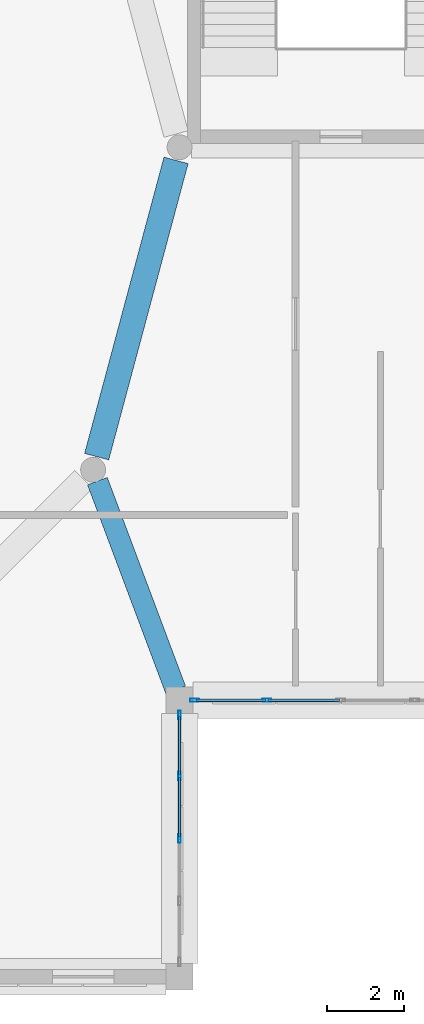
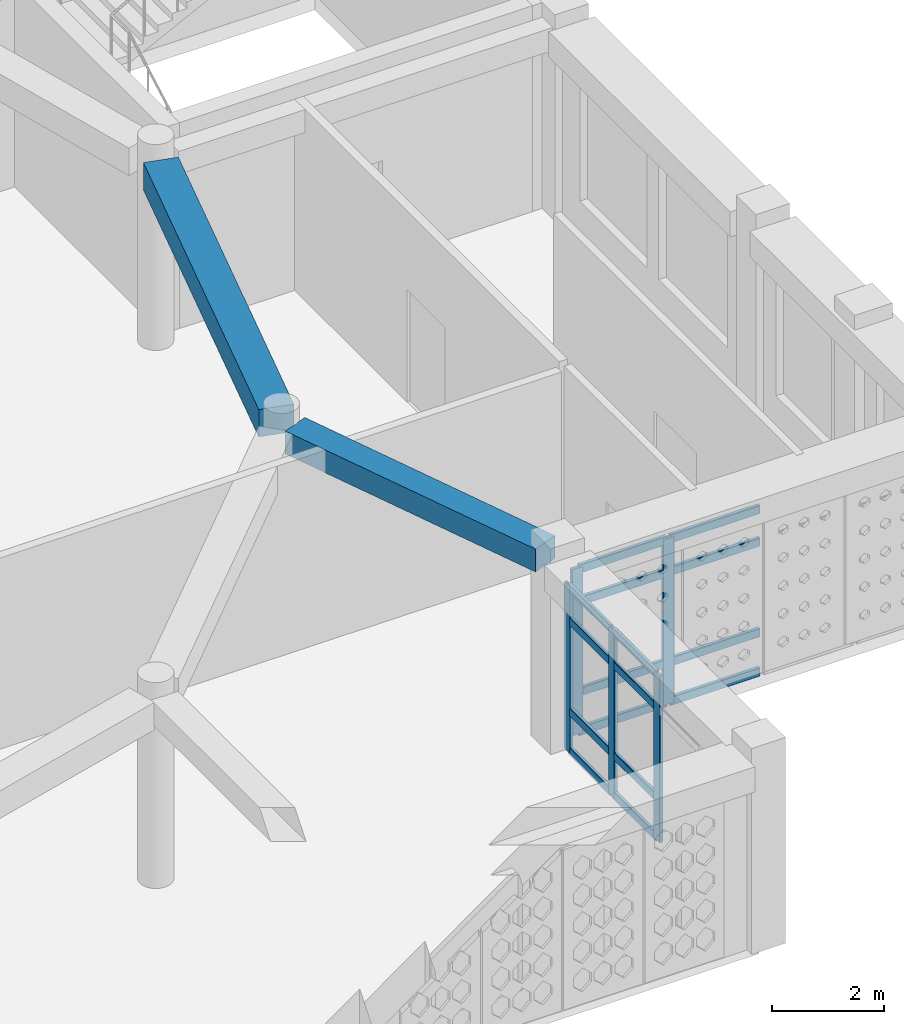
# One storey, part 18 of 79: 21 members, 2 beams, 2 elements without a shape of their own.
"""IFC4 building model written with IfcOpenShell, lengths in metres."""

from ifc_helpers import new_model, si_unit, derived_unit, direction, frame, origin, origin_2d, place, context, subcontext, project, spatial, rectangle, hollow_rectangle, extrude, material, material_profile, profile_set, type_object, element, aggregate, save


model = new_model("IFC4")

# Units and contexts
model_context = context("Model", 3, precision=1e-05, world=origin(), true_north=direction((0.0, 1.0)))
body_context = subcontext(model_context, "Body", "Model", "MODEL_VIEW")
ifc_project = project(units=[si_unit("LENGTHUNIT", "METRE"), si_unit("AREAUNIT", "SQUARE_METRE"), si_unit("VOLUMEUNIT", "CUBIC_METRE"), si_unit("PLANEANGLEUNIT", "RADIAN"), si_unit("MASSUNIT", "GRAM", prefix="KILO"), derived_unit("THERMALTRANSMITTANCEUNIT", [(si_unit("POWERUNIT", "WATT"), 1), (si_unit("LENGTHUNIT", "METRE"), -2), (si_unit("THERMODYNAMICTEMPERATUREUNIT", "KELVIN"), -1)])], contexts=[model_context])

# Site, building, storey
site_placement = place(None, origin())
site = spatial("IfcSite", under=ifc_project, at=site_placement, CompositionType="ELEMENT")
building_placement = place(site_placement, origin())
building = spatial("IfcBuilding", under=site, at=building_placement, Name="Veybourne Emporium", CompositionType="ELEMENT")
storey_placement = place(building_placement, frame((0.0, 0.0, 18.89990234375)))
storey = spatial("IfcBuildingStorey", under=building, at=storey_placement, Name="L04", CompositionType="ELEMENT", Elevation=18.89990234375)

# Curtain wall, members
ifc_material_1 = material(Name="Patinated Architectural Bronze", Category="bronze")
curtain_wall_type_1 = type_object("IfcCurtainWallType", Name="CWSystem_CWS-05", PredefinedType="NOTDEFINED", material=ifc_material_1)
curtain_wall_1_placement = place(storey_placement, origin())
curtain_wall_1 = element("IfcCurtainWall", 1, at=curtain_wall_1_placement, inside=storey, type_object=curtain_wall_type_1, Name="L04 bronze glazed curtain wall CWS-05 (042)", PredefinedType="NOTDEFINED")
ifc_material_profile_1 = material_profile(ifc_material_1, hollow_rectangle(XDim=0.072021484375, YDim=0.22509765625, WallThickness=0.0048828125, InnerFilletRadius=0.007568359375, OuterFilletRadius=0.012451171875, at=origin_2d()), Name="CWM 72x225x5")
ifc_profile_set_1 = profile_set([ifc_material_profile_1], Name="Patinated Architectural Bronze")
member_type_1 = type_object("IfcMemberType", Name="CWMullion_CW-M1", PredefinedType="MULLION", material=ifc_profile_set_1)
member_1_placement = place(storey_placement, frame((92.39990234375, 35.614013671875, 0.0), z_axis=(0.0, 0.0, 1.0), x_axis=(1.0, 0.0, 0.0)))
member_1 = element("IfcMember", 2, at=member_1_placement, type_object=member_type_1, Name="CWS-05 mullion 1", PredefinedType="MULLION", context=body_context, shape_type="SweptSolid", body=[
    extrude(hollow_rectangle(XDim=0.072021484375, YDim=0.22509765625, WallThickness=0.0048828125, InnerFilletRadius=0.007568359375, OuterFilletRadius=0.012451171875, at=origin_2d()), origin(), (0.0, 0.0, 1.0), 3.630126953125),
])
member_2_placement = place(storey_placement, frame((92.39990234375, 34.02490234375, 0.0), z_axis=(0.0, 0.0, 1.0), x_axis=(1.0, 0.0, 0.0)))
member_2 = element("IfcMember", 3, at=member_2_placement, type_object=member_type_1, Name="CWS-05 mullion 2", PredefinedType="MULLION", context=body_context, shape_type="SweptSolid", body=[
    extrude(hollow_rectangle(XDim=0.072021484375, YDim=0.22509765625, WallThickness=0.0048828125, InnerFilletRadius=0.007568359375, OuterFilletRadius=0.012451171875, at=origin_2d()), origin(), (0.0, 0.0, 1.0), 3.630126953125),
])
member_3_placement = place(storey_placement, frame((92.39990234375, 32.39990234375, 0.0), z_axis=(0.0, 0.0, 1.0), x_axis=(1.0, 0.0, 0.0)))
member_3 = element("IfcMember", 4, at=member_3_placement, type_object=member_type_1, Name="CWS-05 mullion 3", PredefinedType="MULLION", context=body_context, shape_type="SweptSolid", body=[
    extrude(hollow_rectangle(XDim=0.072021484375, YDim=0.22509765625, WallThickness=0.0048828125, InnerFilletRadius=0.007568359375, OuterFilletRadius=0.012451171875, at=origin_2d()), origin(), (0.0, 0.0, 1.0), 3.630126953125),
])

curtain_wall_type_2 = type_object("IfcCurtainWallType", Name="CWSystem_CWS-07", PredefinedType="NOTDEFINED", material=ifc_material_1)
curtain_wall_2_placement = place(storey_placement, origin())
curtain_wall_2 = element("IfcCurtainWall", 5, at=curtain_wall_2_placement, inside=storey, type_object=curtain_wall_type_2, Name="L04 bronze glazed curtain wall CWS-07 (048)", PredefinedType="NOTDEFINED")
ifc_material_profile_2 = material_profile(ifc_material_1, hollow_rectangle(XDim=0.077880859375, YDim=0.235107421875, WallThickness=0.0048828125, InnerFilletRadius=0.007568359375, OuterFilletRadius=0.012451171875, at=origin_2d()), Name="CWM 78x235x5")
ifc_profile_set_2 = profile_set([ifc_material_profile_2], Name="Patinated Architectural Bronze")
member_type_2 = type_object("IfcMemberType", Name="CWMullion_CW-M3", PredefinedType="MULLION", material=ifc_profile_set_2)
member_4_placement = place(storey_placement, frame((94.675048828125, 36.0, 0.0), z_axis=(0.0, 0.0, 1.0), x_axis=(0.0, -1.0, 0.0)))
member_4 = element("IfcMember", 6, at=member_4_placement, type_object=member_type_2, Name="CWS-07 mullion 4", PredefinedType="MULLION", context=body_context, shape_type="SweptSolid", body=[
    extrude(hollow_rectangle(XDim=0.077880859375, YDim=0.235107421875, WallThickness=0.0048828125, InnerFilletRadius=0.007568359375, OuterFilletRadius=0.012451171875, at=origin_2d()), origin(), (0.0, 0.0, 1.0), 3.630126953125),
])
member_5_placement = place(storey_placement, frame((92.7890625, 36.0, 0.0), z_axis=(0.0, 0.0, 1.0), x_axis=(0.0, -1.0, 0.0)))
member_5 = element("IfcMember", 7, at=member_5_placement, type_object=member_type_2, Name="CWS-07 mullion 5", PredefinedType="MULLION", context=body_context, shape_type="SweptSolid", body=[
    extrude(hollow_rectangle(XDim=0.077880859375, YDim=0.235107421875, WallThickness=0.0048828125, InnerFilletRadius=0.007568359375, OuterFilletRadius=0.012451171875, at=origin_2d()), origin(), (0.0, 0.0, 1.0), 3.630126953125),
])

# Member
ifc_material_profile_3 = material_profile(ifc_material_1, hollow_rectangle(XDim=0.072021484375, YDim=0.175048828125, WallThickness=0.0048828125, InnerFilletRadius=0.007568359375, OuterFilletRadius=0.012451171875, at=origin_2d()), Name="CWT 72x175x5")
ifc_profile_set_3 = profile_set([ifc_material_profile_3], Name="Patinated Architectural Bronze")
member_type_3 = type_object("IfcMemberType", Name="CWTransom_CW-T1", PredefinedType="NOTDEFINED", material=ifc_profile_set_3)
member_6_placement = place(storey_placement, frame((92.39990234375, 35.577880859375, 0.0361328125), z_axis=(0.0, -1.0, 0.0), x_axis=(1.0, 0.0, 0.0)))
member_6 = element("IfcMember", 8, at=member_6_placement, type_object=member_type_3, Name="CWS-05 transom 1.1", ObjectType="TRANSOM", PredefinedType="USERDEFINED", context=body_context, shape_type="SweptSolid", body=[
    extrude(hollow_rectangle(XDim=0.072021484375, YDim=0.175048828125, WallThickness=0.0048828125, InnerFilletRadius=0.007568359375, OuterFilletRadius=0.012451171875, at=origin_2d()), origin(), (0.0, 0.0, 1.0), 1.516845703125),
])

member_7_placement = place(storey_placement, frame((92.39990234375, 35.577880859375, 0.900146484375), z_axis=(0.0, -1.0, 0.0), x_axis=(1.0, 0.0, 0.0)))
member_7 = element("IfcMember", 9, at=member_7_placement, type_object=member_type_3, Name="CWS-05 transom 1.2", ObjectType="TRANSOM", PredefinedType="USERDEFINED", context=body_context, shape_type="SweptSolid", body=[
    extrude(hollow_rectangle(XDim=0.072021484375, YDim=0.175048828125, WallThickness=0.0048828125, InnerFilletRadius=0.007568359375, OuterFilletRadius=0.012451171875, at=origin_2d()), origin(), (0.0, 0.0, 1.0), 1.516845703125),
])

member_8_placement = place(storey_placement, frame((92.39990234375, 35.577880859375, 2.880126953125), z_axis=(0.0, -1.0, 0.0), x_axis=(1.0, 0.0, 0.0)))
member_8 = element("IfcMember", 10, at=member_8_placement, type_object=member_type_3, Name="CWS-05 transom 1.3", ObjectType="TRANSOM", PredefinedType="USERDEFINED", context=body_context, shape_type="SweptSolid", body=[
    extrude(hollow_rectangle(XDim=0.072021484375, YDim=0.175048828125, WallThickness=0.0048828125, InnerFilletRadius=0.007568359375, OuterFilletRadius=0.012451171875, at=origin_2d()), origin(), (0.0, 0.0, 1.0), 1.516845703125),
])

member_9_placement = place(storey_placement, frame((92.39990234375, 35.577880859375, 3.593994140625), z_axis=(0.0, -1.0, 0.0), x_axis=(1.0, 0.0, 0.0)))
member_9 = element("IfcMember", 11, at=member_9_placement, type_object=member_type_3, Name="CWS-05 transom 1.4", ObjectType="TRANSOM", PredefinedType="USERDEFINED", context=body_context, shape_type="SweptSolid", body=[
    extrude(hollow_rectangle(XDim=0.072021484375, YDim=0.175048828125, WallThickness=0.0048828125, InnerFilletRadius=0.007568359375, OuterFilletRadius=0.012451171875, at=origin_2d()), origin(), (0.0, 0.0, 1.0), 1.516845703125),
])

member_10_placement = place(storey_placement, frame((92.39990234375, 33.989013671875, 0.0361328125), z_axis=(0.0, -1.0, 0.0), x_axis=(1.0, 0.0, 0.0)))
member_10 = element("IfcMember", 12, at=member_10_placement, type_object=member_type_3, Name="CWS-05 transom 2.1", ObjectType="TRANSOM", PredefinedType="USERDEFINED", context=body_context, shape_type="SweptSolid", body=[
    extrude(hollow_rectangle(XDim=0.072021484375, YDim=0.175048828125, WallThickness=0.0048828125, InnerFilletRadius=0.007568359375, OuterFilletRadius=0.012451171875, at=origin_2d()), origin(), (0.0, 0.0, 1.0), 1.552978515625),
])

member_11_placement = place(storey_placement, frame((92.39990234375, 33.989013671875, 0.900146484375), z_axis=(0.0, -1.0, 0.0), x_axis=(1.0, 0.0, 0.0)))
member_11 = element("IfcMember", 13, at=member_11_placement, type_object=member_type_3, Name="CWS-05 transom 2.2", ObjectType="TRANSOM", PredefinedType="USERDEFINED", context=body_context, shape_type="SweptSolid", body=[
    extrude(hollow_rectangle(XDim=0.072021484375, YDim=0.175048828125, WallThickness=0.0048828125, InnerFilletRadius=0.007568359375, OuterFilletRadius=0.012451171875, at=origin_2d()), origin(), (0.0, 0.0, 1.0), 1.552978515625),
])

member_12_placement = place(storey_placement, frame((92.39990234375, 33.989013671875, 2.880126953125), z_axis=(0.0, -1.0, 0.0), x_axis=(1.0, 0.0, 0.0)))
member_12 = element("IfcMember", 14, at=member_12_placement, type_object=member_type_3, Name="CWS-05 transom 2.3", ObjectType="TRANSOM", PredefinedType="USERDEFINED", context=body_context, shape_type="SweptSolid", body=[
    extrude(hollow_rectangle(XDim=0.072021484375, YDim=0.175048828125, WallThickness=0.0048828125, InnerFilletRadius=0.007568359375, OuterFilletRadius=0.012451171875, at=origin_2d()), origin(), (0.0, 0.0, 1.0), 1.552978515625),
])

member_13_placement = place(storey_placement, frame((92.39990234375, 33.989013671875, 3.593994140625), z_axis=(0.0, -1.0, 0.0), x_axis=(1.0, 0.0, 0.0)))
member_13 = element("IfcMember", 15, at=member_13_placement, type_object=member_type_3, Name="CWS-05 transom 2.4", ObjectType="TRANSOM", PredefinedType="USERDEFINED", context=body_context, shape_type="SweptSolid", body=[
    extrude(hollow_rectangle(XDim=0.072021484375, YDim=0.175048828125, WallThickness=0.0048828125, InnerFilletRadius=0.007568359375, OuterFilletRadius=0.012451171875, at=origin_2d()), origin(), (0.0, 0.0, 1.0), 1.552978515625),
])

aggregate(curtain_wall_1, [member_1, member_2, member_3, member_6, member_7, member_8, member_9, member_10, member_11, member_12, member_13])

ifc_material_profile_4 = material_profile(ifc_material_1, hollow_rectangle(XDim=0.077880859375, YDim=0.18505859375, WallThickness=0.0048828125, InnerFilletRadius=0.007568359375, OuterFilletRadius=0.012451171875, at=origin_2d()), Name="CWT 78x185x5")
ifc_profile_set_4 = profile_set([ifc_material_profile_4], Name="Patinated Architectural Bronze")
member_type_4 = type_object("IfcMemberType", Name="CWTransom_CW-T3", PredefinedType="NOTDEFINED", material=ifc_profile_set_4)
member_14_placement = place(storey_placement, frame((96.56103515625, 36.0, 0.0390625), z_axis=(-1.0, 0.0, 0.0), x_axis=(0.0, -1.0, 0.0)))
member_14 = element("IfcMember", 16, at=member_14_placement, type_object=member_type_4, Name="CWS-07 transom 3.1", ObjectType="TRANSOM", PredefinedType="USERDEFINED", context=body_context, shape_type="SweptSolid", body=[
    extrude(hollow_rectangle(XDim=0.077880859375, YDim=0.18505859375, WallThickness=0.0048828125, InnerFilletRadius=0.007568359375, OuterFilletRadius=0.012451171875, at=origin_2d()), origin(), (0.0, 0.0, 1.0), 1.846923828125),
])

member_15_placement = place(storey_placement, frame((96.56103515625, 36.0, 0.900146484375), z_axis=(-1.0, 0.0, 0.0), x_axis=(0.0, -1.0, 0.0)))
member_15 = element("IfcMember", 17, at=member_15_placement, type_object=member_type_4, Name="CWS-07 transom 3.2", ObjectType="TRANSOM", PredefinedType="USERDEFINED", context=body_context, shape_type="SweptSolid", body=[
    extrude(hollow_rectangle(XDim=0.077880859375, YDim=0.18505859375, WallThickness=0.0048828125, InnerFilletRadius=0.007568359375, OuterFilletRadius=0.012451171875, at=origin_2d()), origin(), (0.0, 0.0, 1.0), 1.846923828125),
])

member_16_placement = place(storey_placement, frame((96.56103515625, 36.0, 2.880126953125), z_axis=(-1.0, 0.0, 0.0), x_axis=(0.0, -1.0, 0.0)))
member_16 = element("IfcMember", 18, at=member_16_placement, type_object=member_type_4, Name="CWS-07 transom 3.3", ObjectType="TRANSOM", PredefinedType="USERDEFINED", context=body_context, shape_type="SweptSolid", body=[
    extrude(hollow_rectangle(XDim=0.077880859375, YDim=0.18505859375, WallThickness=0.0048828125, InnerFilletRadius=0.007568359375, OuterFilletRadius=0.012451171875, at=origin_2d()), origin(), (0.0, 0.0, 1.0), 1.846923828125),
])

member_17_placement = place(storey_placement, frame((96.56103515625, 36.0, 3.591064453125), z_axis=(-1.0, 0.0, 0.0), x_axis=(0.0, -1.0, 0.0)))
member_17 = element("IfcMember", 19, at=member_17_placement, type_object=member_type_4, Name="CWS-07 transom 3.4", ObjectType="TRANSOM", PredefinedType="USERDEFINED", context=body_context, shape_type="SweptSolid", body=[
    extrude(hollow_rectangle(XDim=0.077880859375, YDim=0.18505859375, WallThickness=0.0048828125, InnerFilletRadius=0.007568359375, OuterFilletRadius=0.012451171875, at=origin_2d()), origin(), (0.0, 0.0, 1.0), 1.846923828125),
])

member_18_placement = place(storey_placement, frame((94.635986328125, 36.0, 0.0390625), z_axis=(-1.0, 0.0, 0.0), x_axis=(0.0, -1.0, 0.0)))
member_18 = element("IfcMember", 20, at=member_18_placement, type_object=member_type_4, Name="CWS-07 transom 4.1", ObjectType="TRANSOM", PredefinedType="USERDEFINED", context=body_context, shape_type="SweptSolid", body=[
    extrude(hollow_rectangle(XDim=0.077880859375, YDim=0.18505859375, WallThickness=0.0048828125, InnerFilletRadius=0.007568359375, OuterFilletRadius=0.012451171875, at=origin_2d()), origin(), (0.0, 0.0, 1.0), 1.80810546875),
])

member_19_placement = place(storey_placement, frame((94.635986328125, 36.0, 0.900146484375), z_axis=(-1.0, 0.0, 0.0), x_axis=(0.0, -1.0, 0.0)))
member_19 = element("IfcMember", 21, at=member_19_placement, type_object=member_type_4, Name="CWS-07 transom 4.2", ObjectType="TRANSOM", PredefinedType="USERDEFINED", context=body_context, shape_type="SweptSolid", body=[
    extrude(hollow_rectangle(XDim=0.077880859375, YDim=0.18505859375, WallThickness=0.0048828125, InnerFilletRadius=0.007568359375, OuterFilletRadius=0.012451171875, at=origin_2d()), origin(), (0.0, 0.0, 1.0), 1.80810546875),
])

member_20_placement = place(storey_placement, frame((94.635986328125, 36.0, 2.880126953125), z_axis=(-1.0, 0.0, 0.0), x_axis=(0.0, -1.0, 0.0)))
member_20 = element("IfcMember", 22, at=member_20_placement, type_object=member_type_4, Name="CWS-07 transom 4.3", ObjectType="TRANSOM", PredefinedType="USERDEFINED", context=body_context, shape_type="SweptSolid", body=[
    extrude(hollow_rectangle(XDim=0.077880859375, YDim=0.18505859375, WallThickness=0.0048828125, InnerFilletRadius=0.007568359375, OuterFilletRadius=0.012451171875, at=origin_2d()), origin(), (0.0, 0.0, 1.0), 1.80810546875),
])

member_21_placement = place(storey_placement, frame((94.635986328125, 36.0, 3.591064453125), z_axis=(-1.0, 0.0, 0.0), x_axis=(0.0, -1.0, 0.0)))
member_21 = element("IfcMember", 23, at=member_21_placement, type_object=member_type_4, Name="CWS-07 transom 4.4", ObjectType="TRANSOM", PredefinedType="USERDEFINED", context=body_context, shape_type="SweptSolid", body=[
    extrude(hollow_rectangle(XDim=0.077880859375, YDim=0.18505859375, WallThickness=0.0048828125, InnerFilletRadius=0.007568359375, OuterFilletRadius=0.012451171875, at=origin_2d()), origin(), (0.0, 0.0, 1.0), 1.80810546875),
])

aggregate(curtain_wall_2, [member_4, member_5, member_14, member_15, member_16, member_17, member_18, member_19, member_20, member_21])

# Beams
ifc_material_2 = material(Name="Concrete C32/40", Category="concrete")
ifc_material_profile_5 = material_profile(ifc_material_2, rectangle(XDim=0.64990234375, YDim=0.60009765625, at=origin_2d()), Name="RC 650x600")
ifc_profile_set_5 = profile_set([ifc_material_profile_5], Name="Concrete C32/40")
beam_type_1 = type_object("IfcBeamType", Name="RCBeam_EB-02", PredefinedType="BEAM", material=ifc_profile_set_5)
beam_1_placement = place(storey_placement, frame((90.2412109375, 42.343017578125, 3.880126953125), z_axis=(0.258807903268, 0.965928811666, 0.0), x_axis=(-0.965928811666, 0.258807903268, 0.0)))
element("IfcBeam", 24, at=beam_1_placement, inside=storey, type_object=beam_type_1, Name="Atrium ring beam EB-02 L04-12", PredefinedType="BEAM", context=body_context, shape_type="SweptSolid", body=[
    extrude(rectangle(XDim=0.64990234375, YDim=0.60009765625, at=origin_2d()), origin(), (0.0, 0.0, 1.0), 7.986328125),
])
ifc_material_profile_6 = material_profile(ifc_material_2, rectangle(XDim=0.550048828125, YDim=0.5, at=origin_2d()), Name="RC 550x500")
ifc_profile_set_6 = profile_set([ifc_material_profile_6], Name="Concrete C32/40")
beam_type_2 = type_object("IfcBeamType", Name="RCBeam_TB-01", PredefinedType="BEAM", material=ifc_profile_set_6)
beam_2_placement = place(storey_placement, frame((90.259765625, 41.705078125, 3.93017578125), z_axis=(0.351234086371, -0.936287678318, 0.0), x_axis=(0.936287678318, 0.351234086371, 0.0)))
element("IfcBeam", 25, at=beam_2_placement, inside=storey, type_object=beam_type_2, Name="Atrium radial tie beam L04-12", PredefinedType="BEAM", context=body_context, shape_type="SweptSolid", body=[
    extrude(rectangle(XDim=0.550048828125, YDim=0.5, at=origin_2d()), origin(), (0.0, 0.0, 1.0), 5.80322265625),
])

save(model, "model.ifc")
